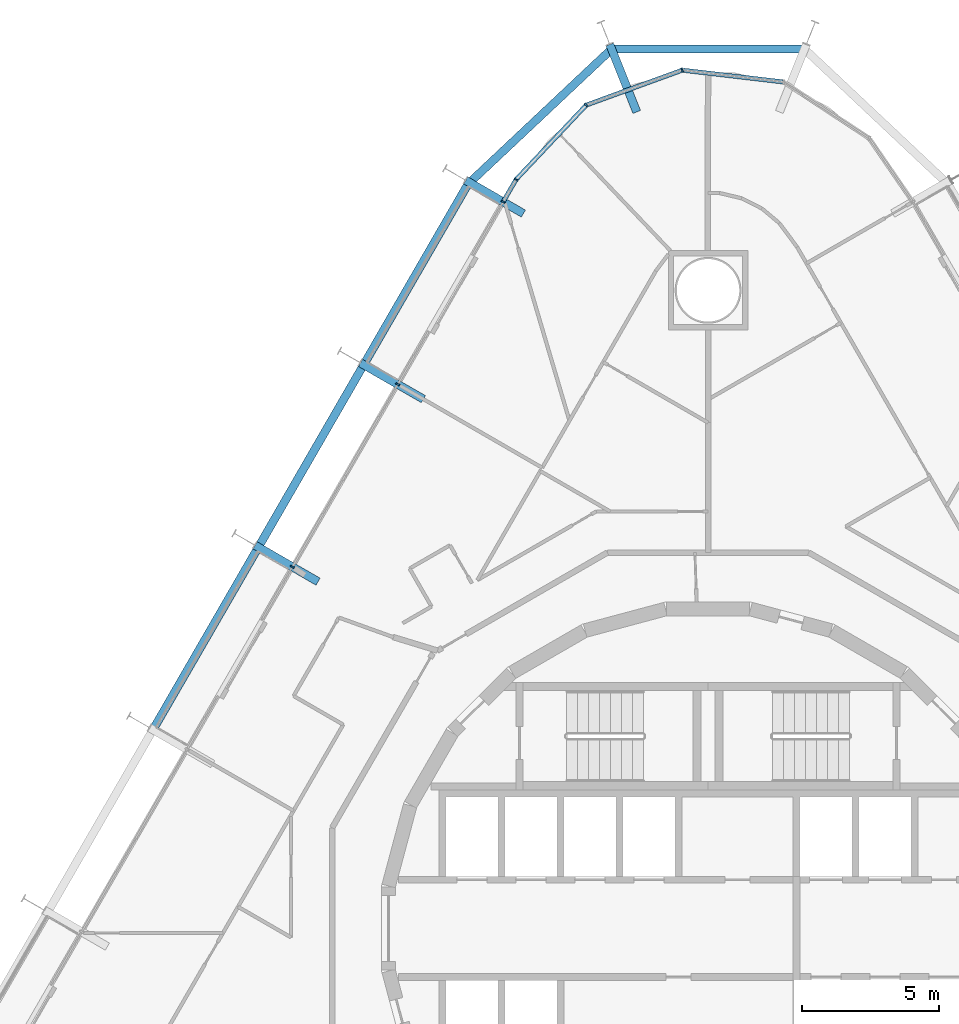
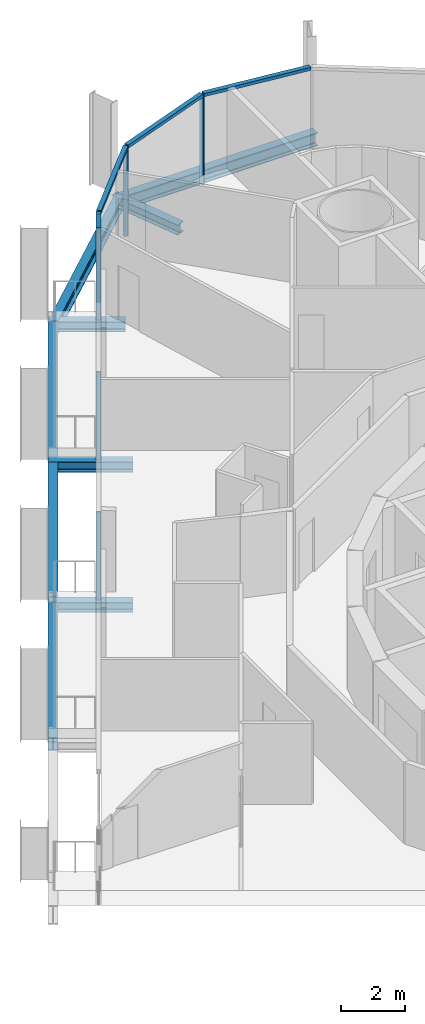
# One storey, part 9 of 21: 10 members, 9 beams, 2 elements without a shape of their own.
"""IFC4 building model written with IfcOpenShell, lengths in metres."""

from ifc_helpers import new_model, si_unit, direction, frame, origin, origin_2d, place, context, subcontext, project, spatial, rectangle, i_section, extrude, material, layer, layer_set, material_profile, profile_set, type_object, element, aggregate, save


model = new_model("IFC4")

# Units and contexts
model_context = context("Model", 3, precision=1e-05, world=origin(), true_north=direction((0.0, 1.0)))
body_context = subcontext(model_context, "Body", "Model", "MODEL_VIEW")
ifc_project = project(units=[si_unit("LENGTHUNIT", "METRE"), si_unit("AREAUNIT", "SQUARE_METRE"), si_unit("VOLUMEUNIT", "CUBIC_METRE"), si_unit("PLANEANGLEUNIT", "RADIAN"), si_unit("MASSUNIT", "GRAM", prefix="KILO")], contexts=[model_context])

# Site, building, storey
site_placement = place(None, origin())
site = spatial("IfcSite", under=ifc_project, at=site_placement, CompositionType="ELEMENT")
building_placement = place(site_placement, origin())
building = spatial("IfcBuilding", under=site, at=building_placement, Name="Spindle Arch Residences", CompositionType="ELEMENT")
storey_placement = place(building_placement, frame((0.0, 0.0, 62.89990234375)))
storey = spatial("IfcBuildingStorey", under=building, at=storey_placement, Name="L14", CompositionType="ELEMENT", Elevation=62.89990234375)

# Curtain wall, members
ifc_material_1 = material(Name="Aluminium bronze unitised frame with tinted glass", Category="aluminium")
ifc_layer_1 = layer(ifc_material_1, 0.159912109375)
ifc_layer_set_1 = layer_set([ifc_layer_1], Name="CW-D corner wall on the fillet arcs")
curtain_wall_type_1 = type_object("IfcCurtainWallType", Name="CW-D corner wall on the fillet arcs", PredefinedType="NOTDEFINED", material=ifc_layer_set_1)
curtain_wall_1_placement = place(storey_placement, origin())
curtain_wall_1 = element("IfcCurtainWall", 1, at=curtain_wall_1_placement, inside=storey, type_object=curtain_wall_type_1, Name="CW-D L14 run 3", PredefinedType="NOTDEFINED")
ifc_material_2 = material(Name="Aluminium bronze anodised mullion", Category="aluminium")
ifc_material_profile_1 = material_profile(ifc_material_2, rectangle(XDim=0.159912109375, YDim=0.06005859375, at=origin_2d()), Name="MU 60x160")
ifc_profile_set_1 = profile_set([ifc_material_profile_1], Name="Aluminium bronze anodised mullion")
member_type_1 = type_object("IfcMemberType", Name="Bronze mullion 60x160", PredefinedType="MULLION", material=ifc_profile_set_1)
member_1_placement = place(storey_placement, frame((-0.93798828125, 31.28515625, -0.3798828125), z_axis=(0.0, 0.0, 1.0), x_axis=(0.342020141538, -0.939692621437, 0.0)))
member_1 = element("IfcMember", 2, at=member_1_placement, type_object=member_type_1, Name="CW-D mullion 03", PredefinedType="MULLION", context=body_context, shape_type="SweptSolid", body=[
    extrude(rectangle(XDim=0.159912109375, YDim=0.06005859375, at=origin_2d()), origin(), (0.0, 0.0, 1.0), 3.3798828125),
])
member_2_placement = place(storey_placement, frame((-4.43994140625, 30.010498046875, -0.3798828125), z_axis=(0.0, 0.0, 1.0), x_axis=(0.727373640284, -0.686241639236, 0.0)))
member_2 = element("IfcMember", 3, at=member_2_placement, type_object=member_type_1, Name="CW-D mullion 04", PredefinedType="MULLION", context=body_context, shape_type="SweptSolid", body=[
    extrude(rectangle(XDim=0.159912109375, YDim=0.06005859375, at=origin_2d()), origin(), (0.0, 0.0, 1.0), 3.3798828125),
])
member_3_placement = place(storey_placement, frame((-6.99755859375, 27.2998046875, -0.3798828125), z_axis=(0.0, 0.0, 1.0), x_axis=(0.866025403784, -0.5, 0.0)))
member_3 = element("IfcMember", 4, at=member_3_placement, type_object=member_type_1, Name="CW-D mullion 05", PredefinedType="MULLION", context=body_context, shape_type="SweptSolid", body=[
    extrude(rectangle(XDim=0.159912109375, YDim=0.06005859375, at=origin_2d()), origin(), (0.0, 0.0, 1.0), 3.3798828125),
])

ifc_material_3 = material(Name="Aluminium bronze unitised frame with tinted glass", Category="aluminium")
ifc_layer_2 = layer(ifc_material_3, 0.159912109375)
ifc_layer_set_2 = layer_set([ifc_layer_2], Name="CW-C typical residential unitised wall")
curtain_wall_type_2 = type_object("IfcCurtainWallType", Name="CW-C typical residential unitised wall", PredefinedType="NOTDEFINED", material=ifc_layer_set_2)
curtain_wall_2_placement = place(storey_placement, origin())
curtain_wall_2 = element("IfcCurtainWall", 5, at=curtain_wall_2_placement, inside=storey, type_object=curtain_wall_type_2, Name="CW-C L14 run 4", PredefinedType="NOTDEFINED")
member_4_placement = place(storey_placement, frame((-7.46923828125, 26.48291015625, -0.3798828125), z_axis=(0.0, 0.0, 1.0), x_axis=(0.866025403784, -0.5, 0.0)))
member_4 = element("IfcMember", 6, at=member_4_placement, type_object=member_type_1, Name="CW-C mullion 13", PredefinedType="MULLION", context=body_context, shape_type="SweptSolid", body=[
    extrude(rectangle(XDim=0.159912109375, YDim=0.06005859375, at=origin_2d()), origin(), (0.0, 0.0, 1.0), 3.3798828125),
])
member_5_placement = place(storey_placement, frame((-11.309326171875, 19.83154296875, -0.3798828125), z_axis=(0.0, 0.0, 1.0), x_axis=(0.866025403784, -0.5, 0.0)))
member_5 = element("IfcMember", 7, at=member_5_placement, type_object=member_type_1, Name="CW-C mullion 14", PredefinedType="MULLION", context=body_context, shape_type="SweptSolid", body=[
    extrude(rectangle(XDim=0.159912109375, YDim=0.06005859375, at=origin_2d()), origin(), (0.0, 0.0, 1.0), 3.3798828125),
])
member_6_placement = place(storey_placement, frame((-15.149169921875, 13.180419921875, -0.3798828125), z_axis=(0.0, 0.0, 1.0), x_axis=(0.866025403784, -0.5, 0.0)))
member_6 = element("IfcMember", 8, at=member_6_placement, type_object=member_type_1, Name="CW-C mullion 15", PredefinedType="MULLION", context=body_context, shape_type="SweptSolid", body=[
    extrude(rectangle(XDim=0.159912109375, YDim=0.06005859375, at=origin_2d()), origin(), (0.0, 0.0, 1.0), 3.3798828125),
])
aggregate(curtain_wall_2, [member_4, member_5, member_6])

# Member
ifc_material_4 = material(Name="Aluminium bronze anodised transom", Category="aluminium")
ifc_material_profile_2 = material_profile(ifc_material_4, rectangle(XDim=0.159912109375, YDim=0.1201171875, at=origin_2d()), Name="TR 120x160")
ifc_profile_set_2 = profile_set([ifc_material_profile_2], Name="Aluminium bronze anodised transom")
member_type_2 = type_object("IfcMemberType", Name="Bronze transom 120x160", PredefinedType="USERDEFINED", material=ifc_profile_set_2)
member_7_placement = place(storey_placement, frame((2.733642578125, 30.85595703125, 3.06005859375), z_axis=(-0.993234881174, 0.116122654204, 0.0), x_axis=(-0.116122654204, -0.993234881174, 0.0)))
member_7 = element("IfcMember", 9, at=member_7_placement, type_object=member_type_2, Name="CW-D transom 02", ObjectType="TRANSOM", PredefinedType="USERDEFINED", context=body_context, shape_type="SweptSolid", body=[
    extrude(rectangle(XDim=0.159912109375, YDim=0.1201171875, at=origin_2d()), origin(), (0.0, 0.0, 1.0), 3.666748046875),
])

member_8_placement = place(storey_placement, frame((-0.96630859375, 31.27490234375, 3.06005859375), z_axis=(-0.939686455819, -0.342037080957, 0.0), x_axis=(0.342037080957, -0.939686455819, 0.0)))
member_8 = element("IfcMember", 10, at=member_8_placement, type_object=member_type_2, Name="CW-D transom 03", ObjectType="TRANSOM", PredefinedType="USERDEFINED", context=body_context, shape_type="SweptSolid", body=[
    extrude(rectangle(XDim=0.159912109375, YDim=0.1201171875, at=origin_2d()), origin(), (0.0, 0.0, 1.0), 3.666748046875),
])

member_9_placement = place(storey_placement, frame((-4.460693359375, 29.98876953125, 3.06005859375), z_axis=(-0.686199156324, -0.727413718498, 0.0), x_axis=(0.727413718498, -0.686199156324, 0.0)))
member_9 = element("IfcMember", 11, at=member_9_placement, type_object=member_type_2, Name="CW-D transom 04", ObjectType="TRANSOM", PredefinedType="USERDEFINED", context=body_context, shape_type="SweptSolid", body=[
    extrude(rectangle(XDim=0.159912109375, YDim=0.1201171875, at=origin_2d()), origin(), (0.0, 0.0, 1.0), 3.666748046875),
])

member_10_placement = place(storey_placement, frame((-7.012451171875, 27.27392578125, 3.06005859375), z_axis=(-0.499913830031, -0.866075148324, 0.0), x_axis=(0.866075148324, -0.499913830031, 0.0)))
member_10 = element("IfcMember", 12, at=member_10_placement, type_object=member_type_2, Name="CW-D transom 05", ObjectType="TRANSOM", PredefinedType="USERDEFINED", context=body_context, shape_type="SweptSolid", body=[
    extrude(rectangle(XDim=0.159912109375, YDim=0.1201171875, at=origin_2d()), origin(), (0.0, 0.0, 1.0), 0.883544921875),
])

aggregate(curtain_wall_1, [member_7, member_1, member_8, member_2, member_9, member_3, member_10])

# Beams
ifc_material_5 = material(Name="Steel S460ML, intumescent coating R 120", Category="steel")
ifc_material_profile_3 = material_profile(ifc_material_5, i_section(OverallWidth=0.300048828125, OverallDepth=0.5, WebThickness=0.014404296875, FlangeThickness=0.028076171875, FilletRadius=0.027099609375, at=origin_2d()), Name="HEB 500")
ifc_profile_set_3 = profile_set([ifc_material_profile_3], Name="Steel S460ML, intumescent coating R 120")
beam_type_1 = type_object("IfcBeamType", Name="Exoskeleton edge beam HEB 500", PredefinedType="BEAM", material=ifc_profile_set_3)
beam_1_placement = place(storey_placement, frame((3.6181640625, 32.051513671875, -0.6298828125), z_axis=(-1.0, 0.0, 0.0), x_axis=(0.0, -1.0, 0.0)))
element("IfcBeam", 13, at=beam_1_placement, inside=storey, type_object=beam_type_1, Name="Exoskeleton edge beam 12", PredefinedType="BEAM", context=body_context, shape_type="SweptSolid", body=[
    extrude(i_section(OverallWidth=0.300048828125, OverallDepth=0.5, WebThickness=0.014404296875, FlangeThickness=0.028076171875, FilletRadius=0.027099609375, at=origin_2d()), origin(), (0.0, 0.0, 1.0), 7.236328125),
])
beam_2_placement = place(storey_placement, frame((-3.45849609375, 32.105712890625, -0.6298828125), z_axis=(-0.728394714383, -0.685157748303, 0.0), x_axis=(0.685157748303, -0.728394714383, 0.0)))
element("IfcBeam", 14, at=beam_2_placement, inside=storey, type_object=beam_type_1, Name="Exoskeleton edge beam 13", PredefinedType="BEAM", context=body_context, shape_type="SweptSolid", body=[
    extrude(i_section(OverallWidth=0.300048828125, OverallDepth=0.5, WebThickness=0.014404296875, FlangeThickness=0.028076171875, FilletRadius=0.027099609375, at=origin_2d()), origin(), (0.0, 0.0, 1.0), 7.250244140625),
])
beam_3_placement = place(storey_placement, frame((-8.775146484375, 27.086669921875, -0.6298828125), z_axis=(-0.500003477455, -0.866023396066, 0.0), x_axis=(0.866023396066, -0.500003477455, 0.0)))
element("IfcBeam", 15, at=beam_3_placement, inside=storey, type_object=beam_type_1, Name="Exoskeleton edge beam 14", PredefinedType="BEAM", context=body_context, shape_type="SweptSolid", body=[
    extrude(i_section(OverallWidth=0.300048828125, OverallDepth=0.5, WebThickness=0.014404296875, FlangeThickness=0.028076171875, FilletRadius=0.027099609375, at=origin_2d()), origin(), (0.0, 0.0, 1.0), 7.419921875),
])
for number, where, z_axis, x_axis, name in (
    (16, (-12.615234375, 20.435546875, -0.6298828125), (-0.49998923004, -0.866031621735, 0.0), (0.866031621735, -0.49998923004, 0.0), "Exoskeleton edge beam 15"),
    (17, (-16.455078125, 13.784423828125, -0.6298828125), (-0.5000139068, -0.866017374541, 0.0), (0.866017374541, -0.5000139068, 0.0), "Exoskeleton edge beam 16"),
):
    element("IfcBeam", number, at=place(storey_placement, frame(where, z_axis=z_axis, x_axis=x_axis)), inside=storey, type_object=beam_type_1, Name=name, PredefinedType="BEAM", context=body_context, shape_type="SweptSolid", body=[
        extrude(i_section(OverallWidth=0.300048828125, OverallDepth=0.5, WebThickness=0.014404296875, FlangeThickness=0.028076171875, FilletRadius=0.027099609375, at=origin_2d()), origin(), (0.0, 0.0, 1.0), 7.420166015625),
    ])
ifc_material_6 = material(Name="Steel S460ML, intumescent coating R 120", Category="steel")
ifc_material_profile_4 = material_profile(ifc_material_6, i_section(OverallWidth=0.300048828125, OverallDepth=0.389892578125, WebThickness=0.010986328125, FlangeThickness=0.01904296875, FilletRadius=0.027099609375, at=origin_2d()), Name="HEA 400")
ifc_profile_set_4 = profile_set([ifc_material_profile_4], Name="Steel S460ML, intumescent coating R 120")
beam_type_2 = type_object("IfcBeamType", Name="Floor outrigger HEA 400", PredefinedType="BEAM", material=ifc_profile_set_4)
beam_4_placement = place(storey_placement, frame((-3.581298828125, 32.220703125, -0.574951171875), z_axis=(0.371104734129, -0.928591016706, 0.0), x_axis=(0.928591016706, 0.371104734129, 0.0)))
element("IfcBeam", 18, at=beam_4_placement, inside=storey, type_object=beam_type_2, Name="Floor outrigger 13", PredefinedType="BEAM", context=body_context, shape_type="SweptSolid", body=[
    extrude(i_section(OverallWidth=0.300048828125, OverallDepth=0.389892578125, WebThickness=0.010986328125, FlangeThickness=0.01904296875, FilletRadius=0.027099609375, at=origin_2d()), origin(), (0.0, 0.0, 1.0), 2.64990234375),
])
beam_5_placement = place(storey_placement, frame((-8.828857421875, 27.267822265625, -0.574951171875), z_axis=(0.866002732682, -0.500039265445, 0.0), x_axis=(0.500039265445, 0.866002732682, 0.0)))
element("IfcBeam", 19, at=beam_5_placement, inside=storey, type_object=beam_type_2, Name="Floor outrigger 14", PredefinedType="BEAM", context=body_context, shape_type="SweptSolid", body=[
    extrude(i_section(OverallWidth=0.300048828125, OverallDepth=0.389892578125, WebThickness=0.010986328125, FlangeThickness=0.01904296875, FilletRadius=0.027099609375, at=origin_2d()), origin(), (0.0, 0.0, 1.0), 2.423583984375),
])
for number, where, z_axis, x_axis, name in (
    (20, (-12.6689453125, 20.61669921875, -0.574951171875), (0.866052124492, -0.499953715521, 0.0), (0.499953715521, 0.866052124492, 0.0), "Floor outrigger 15"),
    (21, (-16.5087890625, 13.965576171875, -0.574951171875), (0.865989200783, -0.500062700197, 0.0), (0.500062700197, 0.865989200783, 0.0), "Floor outrigger 16"),
):
    element("IfcBeam", number, at=place(storey_placement, frame(where, z_axis=z_axis, x_axis=x_axis)), inside=storey, type_object=beam_type_2, Name=name, PredefinedType="BEAM", context=body_context, shape_type="SweptSolid", body=[
        extrude(i_section(OverallWidth=0.300048828125, OverallDepth=0.389892578125, WebThickness=0.010986328125, FlangeThickness=0.01904296875, FilletRadius=0.027099609375, at=origin_2d()), origin(), (0.0, 0.0, 1.0), 2.650146484375),
    ])

save(model, "model.ifc")
